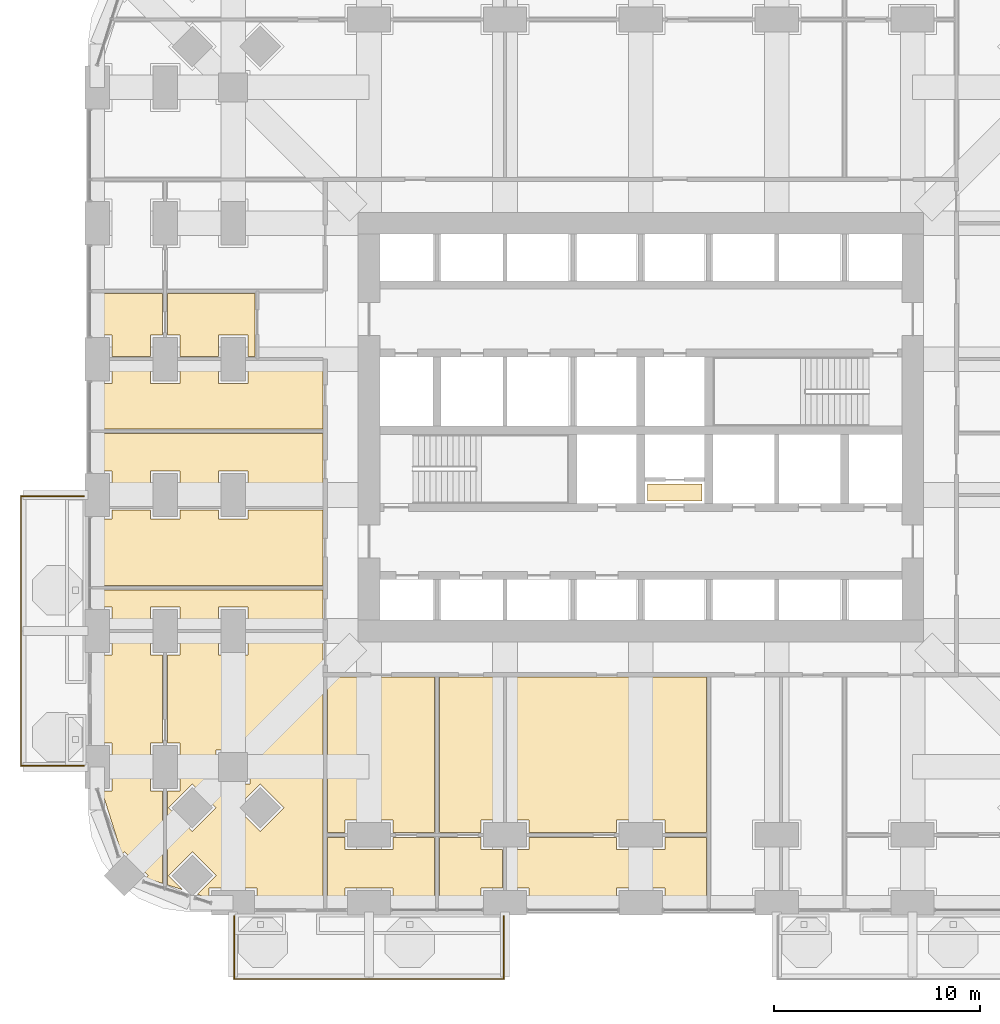
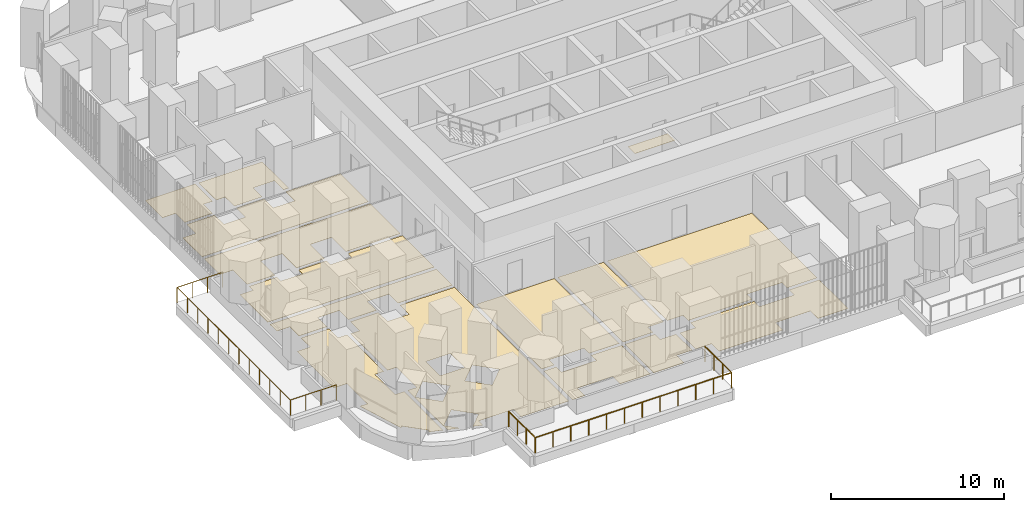
# One storey, part 23 of 27: 15 coverings, 2 railings.
"""IFC4 building model written with IfcOpenShell, lengths in metres."""

from ifc_helpers import new_model, si_unit, direction, frame, origin, place, context, subcontext, project, spatial, polyline, outline, extrude, material, layer, layer_set, type_object, element, save


model = new_model("IFC4")

# Units and contexts
model_context = context("Model", 3, precision=1e-05, world=origin(), true_north=direction((0.0, 1.0)))
body_context = subcontext(model_context, "Body", "Model", "MODEL_VIEW")
ifc_project = project(units=[si_unit("LENGTHUNIT", "METRE"), si_unit("AREAUNIT", "SQUARE_METRE"), si_unit("VOLUMEUNIT", "CUBIC_METRE"), si_unit("PLANEANGLEUNIT", "RADIAN"), si_unit("MASSUNIT", "GRAM", prefix="KILO")], contexts=[model_context])

# Site, building, storey
site_placement = place(None, origin())
site = spatial("IfcSite", under=ifc_project, at=site_placement, CompositionType="ELEMENT")
building_placement = place(site_placement, origin())
building = spatial("IfcBuilding", under=site, at=building_placement, Name="Cobogo Forest Laboratory Tower", CompositionType="ELEMENT")
storey_placement = place(building_placement, frame((0.0, 0.0, 46.5)))
storey = spatial("IfcBuildingStorey", under=building, at=storey_placement, Name="L10", CompositionType="ELEMENT", Elevation=46.5)

# Railings
ifc_material_1 = material(Name="Laminated glass balustrade", Category="glass")
railing_type = type_object("IfcRailingType", Name="BG1 glass balustrade 1100", PredefinedType="GUARDRAIL", material=ifc_material_1)
railing_1_placement = place(storey_placement, frame((6.64990234375, -0.64990234375, 0.0)))
element("IfcRailing", 1, at=railing_1_placement, inside=storey, type_object=railing_type, Name="Balcony balustrade BAL-S1 L10", PredefinedType="GUARDRAIL", context=body_context, shape_type="SweptSolid", body=[
    extrude(outline(polyline([(0.022216796875, 0.00927734375), (0.00927734375, 0.022216796875), (-0.00927734375, 0.022216796875), (-0.022216796875, 0.00927734375), (-0.022216796875, -0.00927734375), (-0.00927734375, -0.022216796875), (0.00927734375, -0.022216796875), (0.022216796875, -0.00927734375), (0.022216796875, 0.00927734375)])), frame((0.0, 0.0, 1.077880859375), z_axis=(0.0, -1.0, 0.0), x_axis=(1.0, 0.0, 0.0)), (0.0, 0.0, 1.0), 3.050048828125),
    extrude(outline(polyline([(0.022216796875, 0.00927734375), (0.00927734375, 0.022216796875), (-0.00927734375, 0.022216796875), (-0.022216796875, 0.00927734375), (-0.022216796875, -0.00927734375), (-0.00927734375, -0.022216796875), (0.00927734375, -0.022216796875), (0.022216796875, -0.00927734375), (0.022216796875, 0.00927734375)])), frame((0.0, -3.050048828125, 1.077880859375), z_axis=(1.0, 0.0, 0.0), x_axis=(0.0, 1.0, 0.0)), (0.0, 0.0, 1.0), 13.10009765625),
    extrude(outline(polyline([(0.022216796875, 0.00927734375), (0.00927734375, 0.022216796875), (-0.00927734375, 0.022216796875), (-0.022216796875, 0.00927734375), (-0.022216796875, -0.00927734375), (-0.00927734375, -0.022216796875), (0.00927734375, -0.022216796875), (0.022216796875, -0.00927734375), (0.022216796875, 0.00927734375)])), frame((13.10009765625, -3.050048828125, 1.077880859375), z_axis=(0.0, 1.0, 0.0), x_axis=(-1.0, 0.0, 0.0)), (0.0, 0.0, 1.0), 3.050048828125),
    extrude(outline(polyline([(0.019287109375, 0.008056640625), (0.008056640625, 0.019287109375), (-0.008056640625, 0.019287109375), (-0.019287109375, 0.008056640625), (-0.019287109375, -0.008056640625), (-0.008056640625, -0.019287109375), (0.008056640625, -0.019287109375), (0.019287109375, -0.008056640625), (0.019287109375, 0.008056640625)])), origin(), (0.0, 0.0, 1.0), 1.077880859375),
    extrude(outline(polyline([(0.019287109375, 0.008056640625), (0.008056640625, 0.019287109375), (-0.008056640625, 0.019287109375), (-0.019287109375, 0.008056640625), (-0.019287109375, -0.008056640625), (-0.008056640625, -0.019287109375), (0.008056640625, -0.019287109375), (0.019287109375, -0.008056640625), (0.019287109375, 0.008056640625)])), frame((0.0, -1.0166015625, 0.0)), (0.0, 0.0, 1.0), 1.077880859375),
    extrude(outline(polyline([(0.019287109375, 0.008056640625), (0.008056640625, 0.019287109375), (-0.008056640625, 0.019287109375), (-0.019287109375, 0.008056640625), (-0.019287109375, -0.008056640625), (-0.008056640625, -0.019287109375), (0.008056640625, -0.019287109375), (0.019287109375, -0.008056640625), (0.019287109375, 0.008056640625)])), frame((0.0, -2.033447265625, 0.0)), (0.0, 0.0, 1.0), 1.077880859375),
    extrude(outline(polyline([(0.019287109375, 0.008056640625), (0.008056640625, 0.019287109375), (-0.008056640625, 0.019287109375), (-0.019287109375, 0.008056640625), (-0.019287109375, -0.008056640625), (-0.008056640625, -0.019287109375), (0.008056640625, -0.019287109375), (0.019287109375, -0.008056640625), (0.019287109375, 0.008056640625)])), frame((0.0, -3.050048828125, 0.0)), (0.0, 0.0, 1.0), 1.077880859375),
    extrude(outline(polyline([(0.019287109375, 0.008056640625), (0.008056640625, 0.019287109375), (-0.008056640625, 0.019287109375), (-0.019287109375, 0.008056640625), (-0.019287109375, -0.008056640625), (-0.008056640625, -0.019287109375), (0.008056640625, -0.019287109375), (0.019287109375, -0.008056640625), (0.019287109375, 0.008056640625)])), frame((1.19091796875, -3.050048828125, 0.0)), (0.0, 0.0, 1.0), 1.077880859375),
    extrude(outline(polyline([(0.019287109375, 0.008056640625), (0.008056640625, 0.019287109375), (-0.008056640625, 0.019287109375), (-0.019287109375, 0.008056640625), (-0.019287109375, -0.008056640625), (-0.008056640625, -0.019287109375), (0.008056640625, -0.019287109375), (0.019287109375, -0.008056640625), (0.019287109375, 0.008056640625)])), frame((2.3818359375, -3.050048828125, 0.0)), (0.0, 0.0, 1.0), 1.077880859375),
    extrude(outline(polyline([(0.019287109375, 0.008056640625), (0.008056640625, 0.019287109375), (-0.008056640625, 0.019287109375), (-0.019287109375, 0.008056640625), (-0.019287109375, -0.008056640625), (-0.008056640625, -0.019287109375), (0.008056640625, -0.019287109375), (0.019287109375, -0.008056640625), (0.019287109375, 0.008056640625)])), frame((3.57275390625, -3.050048828125, 0.0)), (0.0, 0.0, 1.0), 1.077880859375),
    extrude(outline(polyline([(0.019287109375, 0.008056640625), (0.008056640625, 0.019287109375), (-0.008056640625, 0.019287109375), (-0.019287109375, 0.008056640625), (-0.019287109375, -0.008056640625), (-0.008056640625, -0.019287109375), (0.008056640625, -0.019287109375), (0.019287109375, -0.008056640625), (0.019287109375, 0.008056640625)])), frame((4.763671875, -3.050048828125, 0.0)), (0.0, 0.0, 1.0), 1.077880859375),
    extrude(outline(polyline([(0.019287109375, 0.008056640625), (0.008056640625, 0.019287109375), (-0.008056640625, 0.019287109375), (-0.019287109375, 0.008056640625), (-0.019287109375, -0.008056640625), (-0.008056640625, -0.019287109375), (0.008056640625, -0.019287109375), (0.019287109375, -0.008056640625), (0.019287109375, 0.008056640625)])), frame((5.95458984375, -3.050048828125, 0.0)), (0.0, 0.0, 1.0), 1.077880859375),
    extrude(outline(polyline([(0.019287109375, 0.008056640625), (0.008056640625, 0.019287109375), (-0.008056640625, 0.019287109375), (-0.019287109375, 0.008056640625), (-0.019287109375, -0.008056640625), (-0.008056640625, -0.019287109375), (0.008056640625, -0.019287109375), (0.019287109375, -0.008056640625), (0.019287109375, 0.008056640625)])), frame((7.1455078125, -3.050048828125, 0.0)), (0.0, 0.0, 1.0), 1.077880859375),
    extrude(outline(polyline([(0.019287109375, 0.008056640625), (0.008056640625, 0.019287109375), (-0.008056640625, 0.019287109375), (-0.019287109375, 0.008056640625), (-0.019287109375, -0.008056640625), (-0.008056640625, -0.019287109375), (0.008056640625, -0.019287109375), (0.019287109375, -0.008056640625), (0.019287109375, 0.008056640625)])), frame((8.33642578125, -3.050048828125, 0.0)), (0.0, 0.0, 1.0), 1.077880859375),
    extrude(outline(polyline([(0.019287109375, 0.008056640625), (0.008056640625, 0.019287109375), (-0.008056640625, 0.019287109375), (-0.019287109375, 0.008056640625), (-0.019287109375, -0.008056640625), (-0.008056640625, -0.019287109375), (0.008056640625, -0.019287109375), (0.019287109375, -0.008056640625), (0.019287109375, 0.008056640625)])), frame((9.52734375, -3.050048828125, 0.0)), (0.0, 0.0, 1.0), 1.077880859375),
    extrude(outline(polyline([(0.019287109375, 0.008056640625), (0.008056640625, 0.019287109375), (-0.008056640625, 0.019287109375), (-0.019287109375, 0.008056640625), (-0.019287109375, -0.008056640625), (-0.008056640625, -0.019287109375), (0.008056640625, -0.019287109375), (0.019287109375, -0.008056640625), (0.019287109375, 0.008056640625)])), frame((10.71826171875, -3.050048828125, 0.0)), (0.0, 0.0, 1.0), 1.077880859375),
    extrude(outline(polyline([(0.019287109375, 0.008056640625), (0.008056640625, 0.019287109375), (-0.008056640625, 0.019287109375), (-0.019287109375, 0.008056640625), (-0.019287109375, -0.008056640625), (-0.008056640625, -0.019287109375), (0.008056640625, -0.019287109375), (0.019287109375, -0.008056640625), (0.019287109375, 0.008056640625)])), frame((11.9091796875, -3.050048828125, 0.0)), (0.0, 0.0, 1.0), 1.077880859375),
    extrude(outline(polyline([(0.019287109375, 0.008056640625), (0.008056640625, 0.019287109375), (-0.008056640625, 0.019287109375), (-0.019287109375, 0.008056640625), (-0.019287109375, -0.008056640625), (-0.008056640625, -0.019287109375), (0.008056640625, -0.019287109375), (0.019287109375, -0.008056640625), (0.019287109375, 0.008056640625)])), frame((13.10009765625, -3.050048828125, 0.0)), (0.0, 0.0, 1.0), 1.077880859375),
    extrude(outline(polyline([(0.019287109375, 0.008056640625), (0.008056640625, 0.019287109375), (-0.008056640625, 0.019287109375), (-0.019287109375, 0.008056640625), (-0.019287109375, -0.008056640625), (-0.008056640625, -0.019287109375), (0.008056640625, -0.019287109375), (0.019287109375, -0.008056640625), (0.019287109375, 0.008056640625)])), frame((13.10009765625, -2.033447265625, 0.0)), (0.0, 0.0, 1.0), 1.077880859375),
    extrude(outline(polyline([(0.019287109375, 0.008056640625), (0.008056640625, 0.019287109375), (-0.008056640625, 0.019287109375), (-0.019287109375, 0.008056640625), (-0.019287109375, -0.008056640625), (-0.008056640625, -0.019287109375), (0.008056640625, -0.019287109375), (0.019287109375, -0.008056640625), (0.019287109375, 0.008056640625)])), frame((13.10009765625, -1.0166015625, 0.0)), (0.0, 0.0, 1.0), 1.077880859375),
    extrude(outline(polyline([(0.019287109375, 0.008056640625), (0.008056640625, 0.019287109375), (-0.008056640625, 0.019287109375), (-0.019287109375, 0.008056640625), (-0.019287109375, -0.008056640625), (-0.008056640625, -0.019287109375), (0.008056640625, -0.019287109375), (0.019287109375, -0.008056640625), (0.019287109375, 0.008056640625)])), frame((13.10009765625, 0.0, 0.0)), (0.0, 0.0, 1.0), 1.077880859375),
])
railing_2_placement = place(storey_placement, frame((-0.64990234375, 6.64990234375, 0.0)))
element("IfcRailing", 2, at=railing_2_placement, inside=storey, type_object=railing_type, Name="Balcony balustrade BAL-W1 L10", PredefinedType="GUARDRAIL", context=body_context, shape_type="SweptSolid", body=[
    extrude(outline(polyline([(0.022216796875, 0.00927734375), (0.00927734375, 0.022216796875), (-0.00927734375, 0.022216796875), (-0.022216796875, 0.00927734375), (-0.022216796875, -0.00927734375), (-0.00927734375, -0.022216796875), (0.00927734375, -0.022216796875), (0.022216796875, -0.00927734375), (0.022216796875, 0.00927734375)])), frame((0.0, 0.0, 1.077880859375), z_axis=(-1.0, 0.0, 0.0), x_axis=(0.0, -1.0, 0.0)), (0.0, 0.0, 1.0), 3.050048828125),
    extrude(outline(polyline([(0.022216796875, 0.00927734375), (0.00927734375, 0.022216796875), (-0.00927734375, 0.022216796875), (-0.022216796875, 0.00927734375), (-0.022216796875, -0.00927734375), (-0.00927734375, -0.022216796875), (0.00927734375, -0.022216796875), (0.022216796875, -0.00927734375), (0.022216796875, 0.00927734375)])), frame((-3.050048828125, 0.0, 1.077880859375), z_axis=(0.0, 1.0, 0.0), x_axis=(-1.0, 0.0, 0.0)), (0.0, 0.0, 1.0), 13.10009765625),
    extrude(outline(polyline([(0.022216796875, 0.00927734375), (0.00927734375, 0.022216796875), (-0.00927734375, 0.022216796875), (-0.022216796875, 0.00927734375), (-0.022216796875, -0.00927734375), (-0.00927734375, -0.022216796875), (0.00927734375, -0.022216796875), (0.022216796875, -0.00927734375), (0.022216796875, 0.00927734375)])), frame((-3.050048828125, 13.10009765625, 1.077880859375), z_axis=(1.0, 0.0, 0.0), x_axis=(0.0, 1.0, 0.0)), (0.0, 0.0, 1.0), 3.050048828125),
    extrude(outline(polyline([(0.019287109375, 0.008056640625), (0.008056640625, 0.019287109375), (-0.008056640625, 0.019287109375), (-0.019287109375, 0.008056640625), (-0.019287109375, -0.008056640625), (-0.008056640625, -0.019287109375), (0.008056640625, -0.019287109375), (0.019287109375, -0.008056640625), (0.019287109375, 0.008056640625)])), origin(), (0.0, 0.0, 1.0), 1.077880859375),
    extrude(outline(polyline([(0.019287109375, 0.008056640625), (0.008056640625, 0.019287109375), (-0.008056640625, 0.019287109375), (-0.019287109375, 0.008056640625), (-0.019287109375, -0.008056640625), (-0.008056640625, -0.019287109375), (0.008056640625, -0.019287109375), (0.019287109375, -0.008056640625), (0.019287109375, 0.008056640625)])), frame((-1.0166015625, 0.0, 0.0)), (0.0, 0.0, 1.0), 1.077880859375),
    extrude(outline(polyline([(0.019287109375, 0.008056640625), (0.008056640625, 0.019287109375), (-0.008056640625, 0.019287109375), (-0.019287109375, 0.008056640625), (-0.019287109375, -0.008056640625), (-0.008056640625, -0.019287109375), (0.008056640625, -0.019287109375), (0.019287109375, -0.008056640625), (0.019287109375, 0.008056640625)])), frame((-2.033447265625, 0.0, 0.0)), (0.0, 0.0, 1.0), 1.077880859375),
    extrude(outline(polyline([(0.019287109375, 0.008056640625), (0.008056640625, 0.019287109375), (-0.008056640625, 0.019287109375), (-0.019287109375, 0.008056640625), (-0.019287109375, -0.008056640625), (-0.008056640625, -0.019287109375), (0.008056640625, -0.019287109375), (0.019287109375, -0.008056640625), (0.019287109375, 0.008056640625)])), frame((-3.050048828125, 0.0, 0.0)), (0.0, 0.0, 1.0), 1.077880859375),
    extrude(outline(polyline([(0.019287109375, 0.008056640625), (0.008056640625, 0.019287109375), (-0.008056640625, 0.019287109375), (-0.019287109375, 0.008056640625), (-0.019287109375, -0.008056640625), (-0.008056640625, -0.019287109375), (0.008056640625, -0.019287109375), (0.019287109375, -0.008056640625), (0.019287109375, 0.008056640625)])), frame((-3.050048828125, 1.19091796875, 0.0)), (0.0, 0.0, 1.0), 1.077880859375),
    extrude(outline(polyline([(0.019287109375, 0.008056640625), (0.008056640625, 0.019287109375), (-0.008056640625, 0.019287109375), (-0.019287109375, 0.008056640625), (-0.019287109375, -0.008056640625), (-0.008056640625, -0.019287109375), (0.008056640625, -0.019287109375), (0.019287109375, -0.008056640625), (0.019287109375, 0.008056640625)])), frame((-3.050048828125, 2.3818359375, 0.0)), (0.0, 0.0, 1.0), 1.077880859375),
    extrude(outline(polyline([(0.019287109375, 0.008056640625), (0.008056640625, 0.019287109375), (-0.008056640625, 0.019287109375), (-0.019287109375, 0.008056640625), (-0.019287109375, -0.008056640625), (-0.008056640625, -0.019287109375), (0.008056640625, -0.019287109375), (0.019287109375, -0.008056640625), (0.019287109375, 0.008056640625)])), frame((-3.050048828125, 3.57275390625, 0.0)), (0.0, 0.0, 1.0), 1.077880859375),
    extrude(outline(polyline([(0.019287109375, 0.008056640625), (0.008056640625, 0.019287109375), (-0.008056640625, 0.019287109375), (-0.019287109375, 0.008056640625), (-0.019287109375, -0.008056640625), (-0.008056640625, -0.019287109375), (0.008056640625, -0.019287109375), (0.019287109375, -0.008056640625), (0.019287109375, 0.008056640625)])), frame((-3.050048828125, 4.763671875, 0.0)), (0.0, 0.0, 1.0), 1.077880859375),
    extrude(outline(polyline([(0.019287109375, 0.008056640625), (0.008056640625, 0.019287109375), (-0.008056640625, 0.019287109375), (-0.019287109375, 0.008056640625), (-0.019287109375, -0.008056640625), (-0.008056640625, -0.019287109375), (0.008056640625, -0.019287109375), (0.019287109375, -0.008056640625), (0.019287109375, 0.008056640625)])), frame((-3.050048828125, 5.95458984375, 0.0)), (0.0, 0.0, 1.0), 1.077880859375),
    extrude(outline(polyline([(0.019287109375, 0.008056640625), (0.008056640625, 0.019287109375), (-0.008056640625, 0.019287109375), (-0.019287109375, 0.008056640625), (-0.019287109375, -0.008056640625), (-0.008056640625, -0.019287109375), (0.008056640625, -0.019287109375), (0.019287109375, -0.008056640625), (0.019287109375, 0.008056640625)])), frame((-3.050048828125, 7.1455078125, 0.0)), (0.0, 0.0, 1.0), 1.077880859375),
    extrude(outline(polyline([(0.019287109375, 0.008056640625), (0.008056640625, 0.019287109375), (-0.008056640625, 0.019287109375), (-0.019287109375, 0.008056640625), (-0.019287109375, -0.008056640625), (-0.008056640625, -0.019287109375), (0.008056640625, -0.019287109375), (0.019287109375, -0.008056640625), (0.019287109375, 0.008056640625)])), frame((-3.050048828125, 8.33642578125, 0.0)), (0.0, 0.0, 1.0), 1.077880859375),
    extrude(outline(polyline([(0.019287109375, 0.008056640625), (0.008056640625, 0.019287109375), (-0.008056640625, 0.019287109375), (-0.019287109375, 0.008056640625), (-0.019287109375, -0.008056640625), (-0.008056640625, -0.019287109375), (0.008056640625, -0.019287109375), (0.019287109375, -0.008056640625), (0.019287109375, 0.008056640625)])), frame((-3.050048828125, 9.52734375, 0.0)), (0.0, 0.0, 1.0), 1.077880859375),
    extrude(outline(polyline([(0.019287109375, 0.008056640625), (0.008056640625, 0.019287109375), (-0.008056640625, 0.019287109375), (-0.019287109375, 0.008056640625), (-0.019287109375, -0.008056640625), (-0.008056640625, -0.019287109375), (0.008056640625, -0.019287109375), (0.019287109375, -0.008056640625), (0.019287109375, 0.008056640625)])), frame((-3.050048828125, 10.71826171875, 0.0)), (0.0, 0.0, 1.0), 1.077880859375),
    extrude(outline(polyline([(0.019287109375, 0.008056640625), (0.008056640625, 0.019287109375), (-0.008056640625, 0.019287109375), (-0.019287109375, 0.008056640625), (-0.019287109375, -0.008056640625), (-0.008056640625, -0.019287109375), (0.008056640625, -0.019287109375), (0.019287109375, -0.008056640625), (0.019287109375, 0.008056640625)])), frame((-3.050048828125, 11.9091796875, 0.0)), (0.0, 0.0, 1.0), 1.077880859375),
    extrude(outline(polyline([(0.019287109375, 0.008056640625), (0.008056640625, 0.019287109375), (-0.008056640625, 0.019287109375), (-0.019287109375, 0.008056640625), (-0.019287109375, -0.008056640625), (-0.008056640625, -0.019287109375), (0.008056640625, -0.019287109375), (0.019287109375, -0.008056640625), (0.019287109375, 0.008056640625)])), frame((-3.050048828125, 13.10009765625, 0.0)), (0.0, 0.0, 1.0), 1.077880859375),
    extrude(outline(polyline([(0.019287109375, 0.008056640625), (0.008056640625, 0.019287109375), (-0.008056640625, 0.019287109375), (-0.019287109375, 0.008056640625), (-0.019287109375, -0.008056640625), (-0.008056640625, -0.019287109375), (0.008056640625, -0.019287109375), (0.019287109375, -0.008056640625), (0.019287109375, 0.008056640625)])), frame((-2.033447265625, 13.10009765625, 0.0)), (0.0, 0.0, 1.0), 1.077880859375),
    extrude(outline(polyline([(0.019287109375, 0.008056640625), (0.008056640625, 0.019287109375), (-0.008056640625, 0.019287109375), (-0.019287109375, 0.008056640625), (-0.019287109375, -0.008056640625), (-0.008056640625, -0.019287109375), (0.008056640625, -0.019287109375), (0.019287109375, -0.008056640625), (0.019287109375, 0.008056640625)])), frame((-1.0166015625, 13.10009765625, 0.0)), (0.0, 0.0, 1.0), 1.077880859375),
    extrude(outline(polyline([(0.019287109375, 0.008056640625), (0.008056640625, 0.019287109375), (-0.008056640625, 0.019287109375), (-0.019287109375, 0.008056640625), (-0.019287109375, -0.008056640625), (-0.008056640625, -0.019287109375), (0.008056640625, -0.019287109375), (0.019287109375, -0.008056640625), (0.019287109375, 0.008056640625)])), frame((0.0, 13.10009765625, 0.0)), (0.0, 0.0, 1.0), 1.077880859375),
])

# Coverings
ifc_material_2 = material(Name="Carpet tile on raised access floor", Category="flooring")
ifc_layer_1 = layer(ifc_material_2, 0.008056640625)
ifc_layer_set_1 = layer_set([ifc_layer_1], Name="CT1 carpet tile floor 8")
covering_type_1 = type_object("IfcCoveringType", Name="CT1 carpet tile floor 8", PredefinedType="FLOORING", material=ifc_layer_set_1)
covering_1_placement = place(storey_placement, origin())
element("IfcCovering", 3, at=covering_1_placement, inside=storey, type_object=covering_type_1, Name="Carpet floor L10-02", PredefinedType="FLOORING", context=body_context, shape_type="SweptSolid", body=[
    extrude(outline(polyline([(12.030029296875, 3.179931640625), (12.030029296875, 2.580078125), (14.3701171875, 2.580078125), (14.3701171875, 3.179931640625), (16.3798828125, 3.179931640625), (16.3798828125, -0.14990234375), (14.3701171875, -0.14990234375), (14.3701171875, 0.719970703125), (12.030029296875, 0.719970703125), (12.030029296875, -0.14990234375), (11.195068359375, -0.14990234375), (11.195068359375, 3.179931640625), (12.030029296875, 3.179931640625)])), origin(), (0.0, 0.0, 1.0), 0.008056640625),
])
covering_2_placement = place(storey_placement, origin())
element("IfcCovering", 4, at=covering_2_placement, inside=storey, type_object=covering_type_1, Name="Carpet floor L10-04", PredefinedType="FLOORING", context=body_context, shape_type="SweptSolid", body=[
    extrude(outline(polyline([(18.6298828125, 3.179931640625), (18.6298828125, 2.580078125), (19.679931640625, 2.580078125), (19.679931640625, 0.719970703125), (18.6298828125, 0.719970703125), (18.6298828125, -0.14990234375), (16.6201171875, -0.14990234375), (16.6201171875, 3.179931640625), (18.6298828125, 3.179931640625)])), origin(), (0.0, 0.0, 1.0), 0.008056640625),
])
covering_3_placement = place(storey_placement, origin())
element("IfcCovering", 5, at=covering_3_placement, inside=storey, type_object=covering_type_1, Name="Carpet floor L10-06", PredefinedType="FLOORING", context=body_context, shape_type="SweptSolid", body=[
    extrude(outline(polyline([(25.22998046875, 3.179931640625), (25.22998046875, 2.580078125), (27.570068359375, 2.580078125), (27.570068359375, 3.179931640625), (29.580078125, 3.179931640625), (29.580078125, -0.14990234375), (27.570068359375, -0.14990234375), (27.570068359375, 0.719970703125), (25.22998046875, 0.719970703125), (25.22998046875, -0.14990234375), (20.969970703125, -0.14990234375), (20.969970703125, 0.719970703125), (19.919921875, 0.719970703125), (19.919921875, 2.580078125), (20.969970703125, 2.580078125), (20.969970703125, 3.179931640625), (25.22998046875, 3.179931640625)])), origin(), (0.0, 0.0, 1.0), 0.008056640625),
])
covering_4_placement = place(storey_placement, origin())
element("IfcCovering", 6, at=covering_4_placement, inside=storey, type_object=covering_type_1, Name="Carpet floor L10-26", PredefinedType="FLOORING", context=body_context, shape_type="SweptSolid", body=[
    extrude(outline(polyline([(3.179931640625, 7.77001953125), (2.580078125, 7.77001953125), (2.580078125, 5.429931640625), (3.179931640625, 5.429931640625), (3.179931640625, 0.939697265625), (2.358642578125, 1.19921875), (2.477783203125, 1.318115234375), (1.318115234375, 2.477783203125), (1.19921875, 2.358642578125), (0.229248046875, 5.429931640625), (0.719970703125, 5.429931640625), (0.719970703125, 7.77001953125), (-0.14990234375, 7.77001953125), (-0.14990234375, 12.030029296875), (0.719970703125, 12.030029296875), (0.719970703125, 13.080078125), (2.580078125, 13.080078125), (2.580078125, 12.030029296875), (3.179931640625, 12.030029296875), (3.179931640625, 7.77001953125)])), origin(), (0.0, 0.0, 1.0), 0.008056640625),
])
covering_5_placement = place(storey_placement, origin())
element("IfcCovering", 7, at=covering_5_placement, inside=storey, type_object=covering_type_1, Name="Carpet floor L10-32", PredefinedType="FLOORING", context=body_context, shape_type="SweptSolid", body=[
    extrude(outline(polyline([(3.179931640625, 27.570068359375), (2.580078125, 27.570068359375), (2.580078125, 26.52001953125), (0.719970703125, 26.52001953125), (0.719970703125, 27.570068359375), (-0.14990234375, 27.570068359375), (-0.14990234375, 29.580078125), (3.179931640625, 29.580078125), (3.179931640625, 27.570068359375)])), origin(), (0.0, 0.0, 1.0), 0.008056640625),
])
covering_6_placement = place(storey_placement, origin())
element("IfcCovering", 8, at=covering_6_placement, inside=storey, type_object=covering_type_1, Name="Carpet floor L10-41", PredefinedType="FLOORING", context=body_context, shape_type="SweptSolid", body=[
    extrude(outline(polyline([(29.3798828125, 19.52001953125), (26.719970703125, 19.52001953125), (26.719970703125, 20.330078125), (29.3798828125, 20.330078125), (29.3798828125, 19.52001953125)])), origin(), (0.0, 0.0, 1.0), 0.008056640625),
])
ifc_material_3 = material(Name="Epoxy resin flooring", Category="flooring")
ifc_layer_2 = layer(ifc_material_3, 0.00390625)
ifc_layer_set_2 = layer_set([ifc_layer_2], Name="LF1 epoxy laboratory floor 4")
covering_type_2 = type_object("IfcCoveringType", Name="LF1 epoxy laboratory floor 4", PredefinedType="FLOORING", material=ifc_layer_set_2)
covering_7_placement = place(storey_placement, origin())
element("IfcCovering", 9, at=covering_7_placement, inside=storey, type_object=covering_type_2, Name="Epoxy laboratory floor L10-01", PredefinedType="FLOORING", context=body_context, shape_type="SweptSolid", body=[
    extrude(outline(polyline([(11.195068359375, 10.955078125), (16.3798828125, 10.955078125), (16.3798828125, 3.419921875), (14.3701171875, 3.419921875), (14.3701171875, 4.02001953125), (12.030029296875, 4.02001953125), (12.030029296875, 3.419921875), (11.195068359375, 3.419921875), (11.195068359375, 10.955078125)])), origin(), (0.0, 0.0, 1.0), 0.00390625),
])
covering_8_placement = place(storey_placement, origin())
element("IfcCovering", 10, at=covering_8_placement, inside=storey, type_object=covering_type_2, Name="Epoxy laboratory floor L10-03", PredefinedType="FLOORING", context=body_context, shape_type="SweptSolid", body=[
    extrude(outline(polyline([(16.6201171875, 10.955078125), (19.679931640625, 10.955078125), (19.679931640625, 4.02001953125), (18.6298828125, 4.02001953125), (18.6298828125, 3.419921875), (16.6201171875, 3.419921875), (16.6201171875, 10.955078125)])), origin(), (0.0, 0.0, 1.0), 0.00390625),
])
covering_9_placement = place(storey_placement, origin())
element("IfcCovering", 11, at=covering_9_placement, inside=storey, type_object=covering_type_2, Name="Epoxy laboratory floor L10-05", PredefinedType="FLOORING", context=body_context, shape_type="SweptSolid", body=[
    extrude(outline(polyline([(19.919921875, 10.955078125), (29.580078125, 10.955078125), (29.580078125, 3.419921875), (27.570068359375, 3.419921875), (27.570068359375, 4.02001953125), (25.22998046875, 4.02001953125), (25.22998046875, 3.419921875), (20.969970703125, 3.419921875), (20.969970703125, 4.02001953125), (19.919921875, 4.02001953125), (19.919921875, 10.955078125)])), origin(), (0.0, 0.0, 1.0), 0.00390625),
])
covering_10_placement = place(storey_placement, origin())
element("IfcCovering", 12, at=covering_10_placement, inside=storey, type_object=covering_type_2, Name="Epoxy laboratory floor L10-25", PredefinedType="FLOORING", context=body_context, shape_type="SweptSolid", body=[
    extrude(outline(polyline([(5.8798828125, 13.080078125), (5.8798828125, 12.030029296875), (7.320068359375, 12.030029296875), (7.320068359375, 13.080078125), (10.955078125, 13.080078125), (10.955078125, -0.14990234375), (7.77001953125, -0.14990234375), (7.77001953125, 0.719970703125), (5.429931640625, 0.719970703125), (5.429931640625, 0.229248046875), (4.86669921875, 0.406982421875), (5.777587890625, 1.318115234375), (4.617919921875, 2.477783203125), (3.458251953125, 1.318115234375), (4.1396484375, 0.63671875), (3.419921875, 0.864013671875), (3.419921875, 5.429931640625), (4.02001953125, 5.429931640625), (4.02001953125, 7.77001953125), (3.419921875, 7.77001953125), (3.419921875, 12.030029296875), (4.02001953125, 12.030029296875), (4.02001953125, 13.080078125), (5.8798828125, 13.080078125)]), holes=[polyline([(7.91796875, 5.777587890625), (6.75830078125, 4.617919921875), (7.91796875, 3.458251953125), (9.07763671875, 4.617919921875), (7.91796875, 5.777587890625)]), polyline([(5.780029296875, 7.419921875), (5.780029296875, 5.780029296875), (7.419921875, 5.780029296875), (7.419921875, 7.419921875), (5.780029296875, 7.419921875)]), polyline([(3.458251953125, 4.617919921875), (4.617919921875, 3.458251953125), (5.777587890625, 4.617919921875), (4.617919921875, 5.777587890625), (3.458251953125, 4.617919921875)])]), origin(), (0.0, 0.0, 1.0), 0.00390625),
])
covering_11_placement = place(storey_placement, origin())
element("IfcCovering", 13, at=covering_11_placement, inside=storey, type_object=covering_type_2, Name="Epoxy laboratory floor L10-31", PredefinedType="FLOORING", context=body_context, shape_type="SweptSolid", body=[
    extrude(outline(polyline([(3.419921875, 29.580078125), (7.655029296875, 29.580078125), (7.655029296875, 26.52001953125), (7.320068359375, 26.52001953125), (7.320068359375, 27.570068359375), (5.8798828125, 27.570068359375), (5.8798828125, 26.52001953125), (4.02001953125, 26.52001953125), (4.02001953125, 27.570068359375), (3.419921875, 27.570068359375), (3.419921875, 29.580078125)])), origin(), (0.0, 0.0, 1.0), 0.00390625),
])
ifc_material_4 = material(Name="Ceramic floor tile", Category="flooring")
ifc_layer_3 = layer(ifc_material_4, 0.010009765625)
ifc_layer_set_3 = layer_set([ifc_layer_3], Name="TF1 ceramic tile floor 10")
covering_type_3 = type_object("IfcCoveringType", Name="TF1 ceramic tile floor 10", PredefinedType="FLOORING", material=ifc_layer_set_3)
covering_12_placement = place(storey_placement, origin())
element("IfcCovering", 14, at=covering_12_placement, inside=storey, type_object=covering_type_3, Name="Tile floor L10-27", PredefinedType="FLOORING", context=body_context, shape_type="SweptSolid", body=[
    extrude(outline(polyline([(10.955078125, 13.320068359375), (7.320068359375, 13.320068359375), (7.320068359375, 14.3701171875), (5.8798828125, 14.3701171875), (5.8798828125, 13.320068359375), (4.02001953125, 13.320068359375), (4.02001953125, 14.3701171875), (2.580078125, 14.3701171875), (2.580078125, 13.320068359375), (0.719970703125, 13.320068359375), (0.719970703125, 14.3701171875), (-0.14990234375, 14.3701171875), (-0.14990234375, 15.179931640625), (10.955078125, 15.179931640625), (10.955078125, 13.320068359375)])), origin(), (0.0, 0.0, 1.0), 0.010009765625),
])
covering_13_placement = place(storey_placement, origin())
element("IfcCovering", 15, at=covering_13_placement, inside=storey, type_object=covering_type_3, Name="Tile floor L10-28", PredefinedType="FLOORING", context=body_context, shape_type="SweptSolid", body=[
    extrude(outline(polyline([(10.955078125, 15.419921875), (-0.14990234375, 15.419921875), (-0.14990234375, 18.6298828125), (0.719970703125, 18.6298828125), (0.719970703125, 19.080078125), (2.580078125, 19.080078125), (2.580078125, 18.6298828125), (4.02001953125, 18.6298828125), (4.02001953125, 19.080078125), (5.8798828125, 19.080078125), (5.8798828125, 18.6298828125), (7.320068359375, 18.6298828125), (7.320068359375, 19.080078125), (10.955078125, 19.080078125), (10.955078125, 15.419921875)])), origin(), (0.0, 0.0, 1.0), 0.010009765625),
])
covering_14_placement = place(storey_placement, origin())
element("IfcCovering", 16, at=covering_14_placement, inside=storey, type_object=covering_type_3, Name="Tile floor L10-29", PredefinedType="FLOORING", context=body_context, shape_type="SweptSolid", body=[
    extrude(outline(polyline([(10.955078125, 19.320068359375), (7.320068359375, 19.320068359375), (7.320068359375, 20.969970703125), (5.8798828125, 20.969970703125), (5.8798828125, 19.320068359375), (4.02001953125, 19.320068359375), (4.02001953125, 20.969970703125), (2.580078125, 20.969970703125), (2.580078125, 19.320068359375), (0.719970703125, 19.320068359375), (0.719970703125, 20.969970703125), (-0.14990234375, 20.969970703125), (-0.14990234375, 22.780029296875), (10.955078125, 22.780029296875), (10.955078125, 19.320068359375)])), origin(), (0.0, 0.0, 1.0), 0.010009765625),
])
covering_15_placement = place(storey_placement, origin())
element("IfcCovering", 17, at=covering_15_placement, inside=storey, type_object=covering_type_3, Name="Tile floor L10-30", PredefinedType="FLOORING", context=body_context, shape_type="SweptSolid", body=[
    extrude(outline(polyline([(10.955078125, 23.02001953125), (-0.14990234375, 23.02001953125), (-0.14990234375, 25.22998046875), (0.719970703125, 25.22998046875), (0.719970703125, 26.280029296875), (2.580078125, 26.280029296875), (2.580078125, 25.22998046875), (4.02001953125, 25.22998046875), (4.02001953125, 26.280029296875), (5.8798828125, 26.280029296875), (5.8798828125, 25.22998046875), (7.320068359375, 25.22998046875), (7.320068359375, 26.280029296875), (10.955078125, 26.280029296875), (10.955078125, 23.02001953125)])), origin(), (0.0, 0.0, 1.0), 0.010009765625),
])

save(model, "model.ifc")
